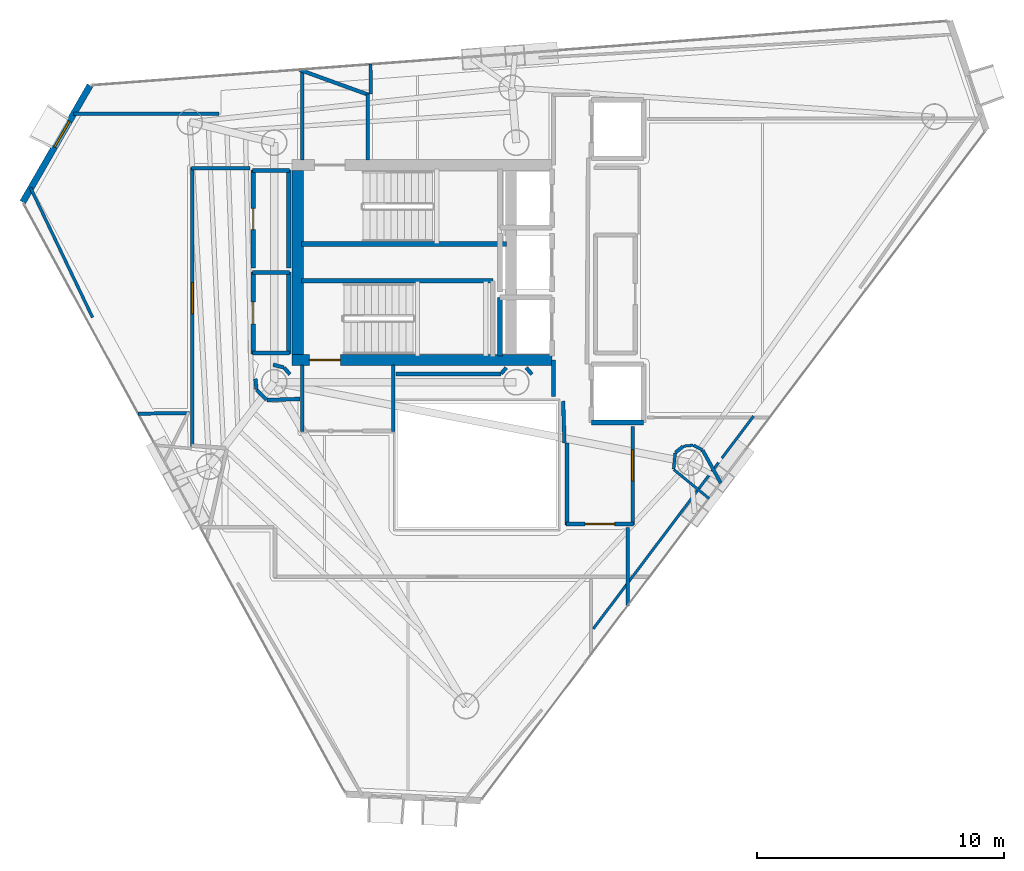
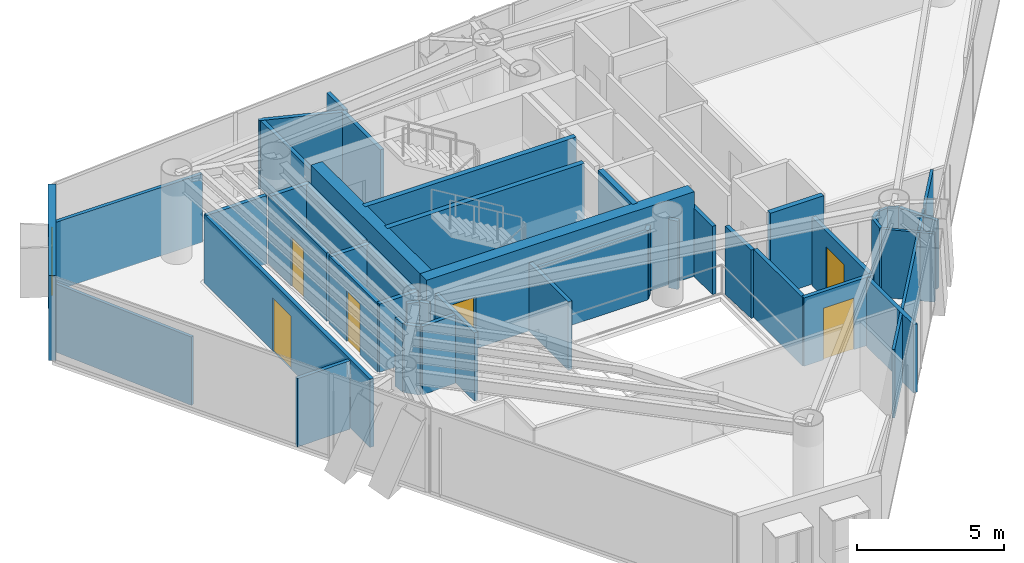
# One storey, part 14 of 19: 47 walls, 6 doors, 1 window, 7 openings.
"""IFC4 building model written with IfcOpenShell, lengths in metres."""

from ifc_helpers import new_model, si_unit, direction, frame, frame_2d, origin, place, context, subcontext, project, spatial, rectangle, extrude, material, layer, layer_set, type_object, element, fill, save


model = new_model("IFC4")

# Units and contexts
model_context = context("Model", 3, precision=1e-05, world=origin(), true_north=direction((0.0, 1.0)))
body_context = subcontext(model_context, "Body", "Model", "MODEL_VIEW")
ifc_project = project(units=[si_unit("LENGTHUNIT", "METRE"), si_unit("AREAUNIT", "SQUARE_METRE"), si_unit("VOLUMEUNIT", "CUBIC_METRE"), si_unit("PLANEANGLEUNIT", "RADIAN"), si_unit("MASSUNIT", "GRAM", prefix="KILO")], contexts=[model_context])

# Site, building, storey
site_placement = place(None, origin())
site = spatial("IfcSite", under=ifc_project, at=site_placement, CompositionType="ELEMENT")
building_placement = place(site_placement, origin())
building = spatial("IfcBuilding", under=site, at=building_placement, Name="Qianvela Tower", CompositionType="ELEMENT")
storey_placement = place(building_placement, frame((0.0, 0.0, 268.60009765625)))
storey = spatial("IfcBuildingStorey", under=building, at=storey_placement, Name="L69", CompositionType="ELEMENT", Elevation=268.60009765625)

# Wall, opening, window
ifc_material_1 = material(Name="Terracotta Cladding on Concrete C40", Category="masonry")
ifc_layer_1 = layer(ifc_material_1, 0.260009765625)
ifc_layer_set_1 = layer_set([ifc_layer_1], Name="Terracotta Cladding on Concrete C40")
wall_type_1 = type_object("IfcWallType", Name="TERRACOTTA-WALL-260", PredefinedType="SOLIDWALL", material=ifc_layer_set_1)
wall_1_placement = place(storey_placement, frame((21.144287109375, 35.86669921875, 0.0), z_axis=(0.0, 0.0, 1.0), x_axis=(-0.499603524597, -0.86625418799, 0.0)))
wall_1 = element("IfcWall", 1, at=wall_1_placement, inside=storey, type_object=wall_type_1, Name="L69 Terracotta Chamfer Facet Wall 3", PredefinedType="SOLIDWALL", context=body_context, shape_type="SweptSolid", body=[
    extrude(rectangle(XDim=5.4501953125, YDim=0.260009765625, at=frame_2d((2.72509765625, 0.0))), origin(), (0.0, 0.0, 1.0), 3.52001953125),
])
opening_1_placement = place(wall_1_placement, frame((1.675048828125, 0.0, 0.89990234375)))
opening_1 = element("IfcOpeningElement", 2, at=opening_1_placement, cuts=wall_1, Name="Opening W-03", PredefinedType="OPENING", context=body_context, shape_type="SweptSolid", body=[
    extrude(rectangle(XDim=1.199951171875, YDim=2.0, at=frame_2d((0.60009765625, 1.0))), frame((0.0, 0.139892578125, 0.0), z_axis=(0.0, -1.0, 0.0), x_axis=(1.0, 0.0, 0.0)), (0.0, 0.0, 1.0), 0.280029296875),
])
ifc_material_2 = material(Name="Thermally Broken Aluminium and Low-E Glass", Category="aluminium")
window_type = type_object("IfcWindowType", Name="WIN-TC-1200x2000", PartitioningType="SINGLE_PANEL", PredefinedType="WINDOW", material=ifc_material_2)
window_placement = place(opening_1_placement, origin())
window = element("IfcWindow", 3, at=window_placement, inside=storey, type_object=window_type, Name="L69 Chamfer Facet Window 3.1", OverallHeight=2.0, OverallWidth=1.199951171875, PartitioningType="SINGLE_PANEL", PredefinedType="WINDOW", context=body_context, shape_type="SweptSolid", body=[
    extrude(rectangle(XDim=1.199951171875, YDim=2.0, at=frame_2d((0.60009765625, 1.0))), frame((0.0, 0.030029296875, 0.0), z_axis=(0.0, -1.0, 0.0), x_axis=(1.0, 0.0, 0.0)), (0.0, 0.0, 1.0), 0.06005859375),
])
fill(opening_1, window)

# Wall, opening, door
ifc_material_3 = material(Name="Concrete C50", Category="concrete")
ifc_layer_2 = layer(ifc_material_3, 0.449951171875)
ifc_layer_set_2 = layer_set([ifc_layer_2], Name="Concrete C50")
wall_type_2 = type_object("IfcWallType", Name="WT-CORE-450", PredefinedType="SHEAR", material=ifc_layer_set_2)
wall_2_placement = place(storey_placement, frame((29.330078125, 24.7548828125, 0.0), z_axis=(0.0, 0.0, 1.0), x_axis=(1.0, 0.0, 0.0)))
wall_2 = element("IfcWall", 4, at=wall_2_placement, inside=storey, type_object=wall_type_2, Name="L69 South Core Shear Wall", PredefinedType="SHEAR", context=body_context, shape_type="SweptSolid", body=[
    extrude(rectangle(XDim=10.52001953125, YDim=0.449951171875, at=frame_2d((5.260009765625, 0.0))), origin(), (0.0, 0.0, 1.0), 3.52001953125),
])
opening_2_placement = place(wall_2_placement, frame((0.695068359375, 0.0, 0.0)))
opening_2 = element("IfcOpeningElement", 5, at=opening_2_placement, cuts=wall_2, Name="Opening D-ST1", PredefinedType="OPENING", context=body_context, shape_type="SweptSolid", body=[
    extrude(rectangle(XDim=1.25, YDim=2.14990234375, at=frame_2d((0.625, 1.074951171875))), frame((0.0, 0.23486328125, 0.0), z_axis=(0.0, -1.0, 0.0), x_axis=(1.0, 0.0, 0.0)), (0.0, 0.0, 1.0), 0.469970703125),
])
ifc_material_4 = material(Name="Galvanised Fire Steel Q355B", Category="steel")
door_type_1 = type_object("IfcDoorType", Name="DT-STAIR-FD90", OperationType="NOTDEFINED", PredefinedType="DOOR", material=ifc_material_4)
door_1_placement = place(opening_2_placement, origin())
door_1 = element("IfcDoor", 6, at=door_1_placement, inside=storey, type_object=door_type_1, Name="L69 Stair ST-2 Exit Door", OperationType="SINGLE_SWING_LEFT", OverallHeight=2.14990234375, OverallWidth=1.25, PredefinedType="DOOR", context=body_context, shape_type="SweptSolid", body=[
    extrude(rectangle(XDim=1.25, YDim=2.14990234375, at=frame_2d((0.625, 1.074951171875))), frame((0.0, 0.02490234375, 0.0), z_axis=(0.0, -1.0, 0.0), x_axis=(1.0, 0.0, 0.0)), (0.0, 0.0, 1.0), 0.050048828125),
])
fill(opening_2, door_1)

# Walls
wall_3_placement = place(storey_placement, frame((29.554931640625, 24.97998046875, 0.0), z_axis=(0.0, 0.0, 1.0), x_axis=(0.0, 1.0, 0.0)))
element("IfcWall", 7, at=wall_3_placement, inside=storey, type_object=wall_type_2, Name="L69 West Core Shear Wall", PredefinedType="SHEAR", context=body_context, shape_type="SweptSolid", body=[
    extrude(rectangle(XDim=7.43994140625, YDim=0.449951171875, at=frame_2d((3.719970703125, 0.0))), origin(), (0.0, 0.0, 1.0), 3.52001953125),
])
ifc_material_5 = material(Name="Fire-Rated Acoustic Gypsum Board")
ifc_layer_3 = layer(ifc_material_5, 0.14990234375)
ifc_layer_set_3 = layer_set([ifc_layer_3], Name="Fire-Rated Acoustic Gypsum Board")
wall_type_3 = type_object("IfcWallType", Name="WT-CORR-150", PredefinedType="PARTITIONING", material=ifc_layer_set_3)
wall_4_placement = place(storey_placement, frame((29.73095703125, 32.85791015625, 0.0), z_axis=(0.0, 0.0, 1.0), x_axis=(0.0, 1.0, 0.0)))
element("IfcWall", 8, at=wall_4_placement, inside=storey, type_object=wall_type_3, Name="L69 Partition 2", PredefinedType="PARTITIONING", context=body_context, shape_type="SweptSolid", body=[
    extrude(rectangle(XDim=3.672607421875, YDim=0.14990234375, at=frame_2d((1.83642578125, 0.0))), origin(), (0.0, 0.0, 1.0), 2.83984375),
])
wall_5_placement = place(storey_placement, frame((29.6240234375, 36.50244140625, 0.0), z_axis=(0.0, 0.0, 1.0), x_axis=(0.940145270822, -0.340773927627, 0.0)))
element("IfcWall", 9, at=wall_5_placement, inside=storey, type_object=wall_type_3, Name="L69 Partition 3", PredefinedType="PARTITIONING", context=body_context, shape_type="SweptSolid", body=[
    extrude(rectangle(XDim=2.973876953125, YDim=0.14990234375, at=frame_2d((1.48681640625, 0.0))), origin(), (0.0, 0.0, 1.0), 2.83984375),
])
wall_6_placement = place(storey_placement, frame((32.388916015625, 35.52001953125, 0.0), z_axis=(0.0, 0.0, 1.0), x_axis=(0.0, -1.0, 0.0)))
element("IfcWall", 10, at=wall_6_placement, inside=storey, type_object=wall_type_3, Name="L69 Partition 4", PredefinedType="PARTITIONING", context=body_context, shape_type="SweptSolid", body=[
    extrude(rectangle(XDim=2.662109375, YDim=0.14990234375, at=frame_2d((1.3310546875, 0.0))), origin(), (0.0, 0.0, 1.0), 2.83984375),
])
for number, where, z_axis, x_axis, name in (
    (11, (29.73095703125, 21.85009765625, 0.0), (0.0, 0.0, 1.0), (0.0, 1.0, 0.0), "L69 Partition 6"),
    (12, (33.4189453125, 24.5419921875, 0.0), (0.0, 0.0, 1.0), (0.0, -1.0, 0.0), "L69 Partition 8"),
):
    element("IfcWall", number, at=place(storey_placement, frame(where, z_axis=z_axis, x_axis=x_axis)), inside=storey, type_object=wall_type_3, Name=name, PredefinedType="PARTITIONING", context=body_context, shape_type="SweptSolid", body=[
        extrude(rectangle(XDim=2.69189453125, YDim=0.14990234375, at=frame_2d((1.345947265625, 0.0))), origin(), (0.0, 0.0, 1.0), 2.83984375),
    ])
wall_7_placement = place(storey_placement, frame((40.35107421875, 21.40087890625, 0.0), z_axis=(0.0, 0.0, 1.0), x_axis=(-0.031058045979, 0.999517582527, 0.0)))
element("IfcWall", 13, at=wall_7_placement, inside=storey, type_object=wall_type_3, Name="L69 Partition 9", PredefinedType="PARTITIONING", context=body_context, shape_type="SweptSolid", body=[
    extrude(rectangle(XDim=1.68212890625, YDim=0.14990234375, at=frame_2d((0.841064453125, 0.0))), origin(), (0.0, 0.0, 1.0), 2.83984375),
])
wall_8_placement = place(storey_placement, frame((39.910888671875, 23.280029296875, 0.0), z_axis=(0.0, 0.0, 1.0), x_axis=(0.0, 1.0, 0.0)))
element("IfcWall", 14, at=wall_8_placement, inside=storey, type_object=wall_type_3, Name="L69 Partition 10", PredefinedType="PARTITIONING", context=body_context, shape_type="SweptSolid", body=[
    extrude(rectangle(XDim=1.47998046875, YDim=0.14990234375, at=frame_2d((0.739990234375, 0.0))), origin(), (0.0, 0.0, 1.0), 2.83984375),
])

# Wall, opening, door
wall_9_placement = place(storey_placement, frame((43.118896484375, 22.050048828125, 0.0), z_axis=(0.0, 0.0, 1.0), x_axis=(0.0, -1.0, 0.0)))
wall_9 = element("IfcWall", 15, at=wall_9_placement, inside=storey, type_object=wall_type_3, Name="L69 Partition 16", PredefinedType="PARTITIONING", context=body_context, shape_type="SweptSolid", body=[
    extrude(rectangle(XDim=3.969970703125, YDim=0.14990234375, at=frame_2d((1.98486328125, 0.0))), origin(), (0.0, 0.0, 1.0), 2.83984375),
])
opening_3_placement = place(wall_9_placement, frame((0.93994140625, 0.0, 0.0)))
opening_3 = element("IfcOpeningElement", 16, at=opening_3_placement, cuts=wall_9, Name="Opening D-LG1", PredefinedType="OPENING", context=body_context, shape_type="SweptSolid", body=[
    extrude(rectangle(XDim=1.25, YDim=2.199951171875, at=frame_2d((0.625, 1.10009765625))), frame((0.0, 0.0849609375, 0.0), z_axis=(0.0, -1.0, 0.0), x_axis=(1.0, 0.0, 0.0)), (0.0, 0.0, 1.0), 0.169921875),
])
ifc_material_6 = material(Name="Anodised Aluminium Acoustic Glass Door", Category="aluminium")
door_type_2 = type_object("IfcDoorType", Name="DT-LOUNGE-1250", OperationType="NOTDEFINED", PredefinedType="DOOR", material=ifc_material_6)
door_2_placement = place(opening_3_placement, origin())
door_2 = element("IfcDoor", 17, at=door_2_placement, inside=storey, type_object=door_type_2, Name="L69 Door Maker Craft Workshop L69-02 to L69 Lift Lobby", OperationType="SINGLE_SWING_LEFT", OverallHeight=2.199951171875, OverallWidth=1.25, PredefinedType="DOOR", context=body_context, shape_type="SweptSolid", body=[
    extrude(rectangle(XDim=1.25, YDim=2.199951171875, at=frame_2d((0.625, 1.10009765625))), frame((0.0, 0.02490234375, 0.0), z_axis=(0.0, -1.0, 0.0), x_axis=(1.0, 0.0, 0.0)), (0.0, 0.0, 1.0), 0.050048828125),
])
fill(opening_3, door_2)

wall_10_placement = place(storey_placement, frame((43.14990234375, 18.111083984375, 0.0), z_axis=(0.0, 0.0, 1.0), x_axis=(-1.0, 0.0, 0.0)))
wall_10 = element("IfcWall", 18, at=wall_10_placement, inside=storey, type_object=wall_type_3, Name="L69 Partition 17", PredefinedType="PARTITIONING", context=body_context, shape_type="SweptSolid", body=[
    extrude(rectangle(XDim=2.72998046875, YDim=0.14990234375, at=frame_2d((1.364990234375, 0.0))), origin(), (0.0, 0.0, 1.0), 2.83984375),
])
opening_4_placement = place(wall_10_placement, frame((0.764892578125, 0.0, 0.0)))
opening_4 = element("IfcOpeningElement", 19, at=opening_4_placement, cuts=wall_10, Name="Opening D-LB1", PredefinedType="OPENING", context=body_context, shape_type="SweptSolid", body=[
    extrude(rectangle(XDim=1.199951171875, YDim=2.14990234375, at=frame_2d((0.60009765625, 1.074951171875))), frame((0.0, 0.0849609375, 0.0), z_axis=(0.0, -1.0, 0.0), x_axis=(1.0, 0.0, 0.0)), (0.0, 0.0, 1.0), 0.169921875),
])
ifc_material_7 = material(Name="Glazed Fire-Rated Steel Frame", Category="steel")
door_type_3 = type_object("IfcDoorType", Name="DT-LOBBY-FD90", OperationType="NOTDEFINED", PredefinedType="DOOR", material=ifc_material_7)
door_3_placement = place(opening_4_placement, origin())
door_3 = element("IfcDoor", 20, at=door_3_placement, inside=storey, type_object=door_type_3, Name="L69 Door L69 Lift Lobby to L69 Floor Corridor", OperationType="SINGLE_SWING_RIGHT", OverallHeight=2.14990234375, OverallWidth=1.199951171875, PredefinedType="DOOR", context=body_context, shape_type="SweptSolid", body=[
    extrude(rectangle(XDim=1.199951171875, YDim=2.14990234375, at=frame_2d((0.60009765625, 1.074951171875))), frame((0.0, 0.02490234375, 0.0), z_axis=(0.0, -1.0, 0.0), x_axis=(1.0, 0.0, 0.0)), (0.0, 0.0, 1.0), 0.050048828125),
])
fill(opening_4, door_3)

# Walls
wall_11_placement = place(storey_placement, frame((40.450927734375, 18.080078125, 0.0), z_axis=(0.0, 0.0, 1.0), x_axis=(0.0, 1.0, 0.0)))
element("IfcWall", 21, at=wall_11_placement, inside=storey, type_object=wall_type_3, Name="L69 Partition 18 seg 1", PredefinedType="PARTITIONING", context=body_context, shape_type="SweptSolid", body=[
    extrude(rectangle(XDim=3.31982421875, YDim=0.14990234375, at=frame_2d((1.659912109375, 0.0))), origin(), (0.0, 0.0, 1.0), 2.83984375),
])
wall_12_placement = place(storey_placement, frame((29.236083984375, 24.170166015625, 0.0), z_axis=(0.0, 0.0, 1.0), x_axis=(-0.652260263346, 0.757995084984, 0.0)))
element("IfcWall", 22, at=wall_12_placement, inside=storey, type_object=wall_type_3, Name="L69 Partition 35", PredefinedType="PARTITIONING", context=body_context, shape_type="SweptSolid", body=[
    extrude(rectangle(XDim=0.35546875, YDim=0.14990234375, at=frame_2d((0.177734375, 0.0))), origin(), (0.0, 0.0, 1.0), 2.83984375),
])
wall_13_placement = place(storey_placement, frame((28.98828125, 24.44970703125, 0.0), z_axis=(0.0, 0.0, 1.0), x_axis=(-0.968704505916, 0.248216800836, 0.0)))
element("IfcWall", 23, at=wall_13_placement, inside=storey, type_object=wall_type_3, Name="L69 Partition 36", PredefinedType="PARTITIONING", context=body_context, shape_type="SweptSolid", body=[
    extrude(rectangle(XDim=0.444580078125, YDim=0.14990234375, at=frame_2d((0.22216796875, 0.0))), origin(), (0.0, 0.0, 1.0), 2.83984375),
])
wall_14_placement = place(storey_placement, frame((39.0361328125, 24.170166015625, 0.0), z_axis=(0.0, 0.0, 1.0), x_axis=(-0.652260263346, 0.757995084984, 0.0)))
element("IfcWall", 24, at=wall_14_placement, inside=storey, type_object=wall_type_3, Name="L69 Partition 45", PredefinedType="PARTITIONING", context=body_context, shape_type="SweptSolid", body=[
    extrude(rectangle(XDim=0.35546875, YDim=0.14990234375, at=frame_2d((0.177734375, 0.0))), origin(), (0.0, 0.0, 1.0), 2.83984375),
])
wall_15_placement = place(storey_placement, frame((37.995849609375, 24.439697265625, 0.0), z_axis=(0.0, 0.0, 1.0), x_axis=(-0.652425645794, -0.757852740782, 0.0)))
element("IfcWall", 25, at=wall_15_placement, inside=storey, type_object=wall_type_3, Name="L69 Partition 48", PredefinedType="PARTITIONING", context=body_context, shape_type="SweptSolid", body=[
    extrude(rectangle(XDim=0.319580078125, YDim=0.14990234375, at=frame_2d((0.15966796875, 0.0))), origin(), (0.0, 0.0, 1.0), 2.83984375),
])
wall_16_placement = place(storey_placement, frame((37.787353515625, 24.180908203125, 0.0), z_axis=(0.0, 0.0, 1.0), x_axis=(-1.0, 0.0, 0.0)))
element("IfcWall", 26, at=wall_16_placement, inside=storey, type_object=wall_type_3, Name="L69 Partition 49", PredefinedType="PARTITIONING", context=body_context, shape_type="SweptSolid", body=[
    extrude(rectangle(XDim=4.25732421875, YDim=0.14990234375, at=frame_2d((2.128662109375, 0.0))), origin(), (0.0, 0.0, 1.0), 2.83984375),
])
wall_17_placement = place(storey_placement, frame((27.83837890625, 23.9921875, 0.0), z_axis=(0.0, 0.0, 1.0), x_axis=(0.098273407977, -0.995159453196, 0.0)))
element("IfcWall", 27, at=wall_17_placement, inside=storey, type_object=wall_type_3, Name="L69 Partition 50", PredefinedType="PARTITIONING", context=body_context, shape_type="SweptSolid", body=[
    extrude(rectangle(XDim=0.432373046875, YDim=0.14990234375, at=frame_2d((0.21630859375, 0.0))), origin(), (0.0, 0.0, 1.0), 2.83984375),
])
wall_18_placement = place(storey_placement, frame((27.889892578125, 23.54296875, 0.0), z_axis=(0.0, 0.0, 1.0), x_axis=(0.707106781187, -0.707106781187, 0.0)))
element("IfcWall", 28, at=wall_18_placement, inside=storey, type_object=wall_type_3, Name="L69 Partition 51", PredefinedType="PARTITIONING", context=body_context, shape_type="SweptSolid", body=[
    extrude(rectangle(XDim=0.570068359375, YDim=0.14990234375, at=frame_2d((0.28515625, 0.0))), origin(), (0.0, 0.0, 1.0), 2.83984375),
])
wall_19_placement = place(storey_placement, frame((28.31591796875, 23.130615234375, 0.0), z_axis=(0.0, 0.0, 1.0), x_axis=(0.999405342193, 0.034481328227, 0.0)))
element("IfcWall", 29, at=wall_19_placement, inside=storey, type_object=wall_type_3, Name="L69 Partition 52", PredefinedType="PARTITIONING", context=body_context, shape_type="SweptSolid", body=[
    extrude(rectangle(XDim=1.323974609375, YDim=0.14990234375, at=frame_2d((0.662109375, 0.0))), origin(), (0.0, 0.0, 1.0), 2.83984375),
])
wall_20_placement = place(storey_placement, frame((42.9189453125, 17.97998046875, 0.0), z_axis=(0.0, 0.0, 1.0), x_axis=(0.0, -1.0, 0.0)))
element("IfcWall", 30, at=wall_20_placement, inside=storey, type_object=wall_type_3, Name="L69 Partition 56", PredefinedType="PARTITIONING", context=body_context, shape_type="SweptSolid", body=[
    extrude(rectangle(XDim=3.188232421875, YDim=0.14990234375, at=frame_2d((1.59423828125, 0.0))), origin(), (0.0, 0.0, 1.0), 2.83984375),
])

# Wall, opening, door
wall_21_placement = place(storey_placement, frame((25.281005859375, 21.253173828125, 0.0), z_axis=(0.0, 0.0, 1.0), x_axis=(0.0, 1.0, 0.0)))
wall_21 = element("IfcWall", 31, at=wall_21_placement, inside=storey, type_object=wall_type_3, Name="L69 Partition 62", PredefinedType="PARTITIONING", context=body_context, shape_type="SweptSolid", body=[
    extrude(rectangle(XDim=11.296875, YDim=0.14990234375, at=frame_2d((5.6484375, 0.0))), origin(), (0.0, 0.0, 1.0), 2.83984375),
])
opening_5_placement = place(wall_21_placement, frame((5.37646484375, 0.0, 0.0)))
opening_5 = element("IfcOpeningElement", 32, at=opening_5_placement, cuts=wall_21, Name="Opening D-LG1", PredefinedType="OPENING", context=body_context, shape_type="SweptSolid", body=[
    extrude(rectangle(XDim=1.25, YDim=2.199951171875, at=frame_2d((0.625, 1.10009765625))), frame((0.0, 0.0849609375, 0.0), z_axis=(0.0, -1.0, 0.0), x_axis=(1.0, 0.0, 0.0)), (0.0, 0.0, 1.0), 0.169921875),
])
door_4_placement = place(opening_5_placement, origin())
door_4 = element("IfcDoor", 33, at=door_4_placement, inside=storey, type_object=door_type_2, Name="L69 Door Student Reading Library L69-03 to L69 Floor Corridor", OperationType="SINGLE_SWING_RIGHT", OverallHeight=2.199951171875, OverallWidth=1.25, PredefinedType="DOOR", context=body_context, shape_type="SweptSolid", body=[
    extrude(rectangle(XDim=1.25, YDim=2.199951171875, at=frame_2d((0.625, 1.10009765625))), frame((0.0, 0.02490234375, 0.0), z_axis=(0.0, -1.0, 0.0), x_axis=(1.0, 0.0, 0.0)), (0.0, 0.0, 1.0), 0.050048828125),
])
fill(opening_5, door_4)

# Walls
wall_22_placement = place(storey_placement, frame((25.25, 32.51904296875, 0.0), z_axis=(0.0, 0.0, 1.0), x_axis=(1.0, 0.0, 0.0)))
element("IfcWall", 34, at=wall_22_placement, inside=storey, type_object=wall_type_3, Name="L69 Partition 63", PredefinedType="PARTITIONING", context=body_context, shape_type="SweptSolid", body=[
    extrude(rectangle(XDim=2.3701171875, YDim=0.14990234375, at=frame_2d((1.18505859375, 0.0))), origin(), (0.0, 0.0, 1.0), 2.83984375),
])
ifc_material_8 = material(Name="Lightweight Gypsum Room Partition")
ifc_layer_4 = layer(ifc_material_8, 0.10498046875)
ifc_layer_set_4 = layer_set([ifc_layer_4], Name="Lightweight Gypsum Room Partition")
wall_type_4 = type_object("IfcWallType", Name="WT-PART-105", PredefinedType="PARTITIONING", material=ifc_layer_set_4)
wall_23_placement = place(storey_placement, frame((48.00634765625, 22.476806640625, 0.0), z_axis=(0.0, 0.0, 1.0), x_axis=(-0.601888401824, -0.798580209966, 0.0)))
element("IfcWall", 35, at=wall_23_placement, inside=storey, type_object=wall_type_4, Name="L69 Partition 79", PredefinedType="PARTITIONING", context=body_context, shape_type="SweptSolid", body=[
    extrude(rectangle(XDim=2.128662109375, YDim=0.10498046875, at=frame_2d((1.064453125, 0.0))), origin(), (0.0, 0.0, 1.0), 2.83984375),
])
wall_24_placement = place(storey_placement, frame((45.566650390625, 21.30078125, 0.0), z_axis=(0.0, 0.0, 1.0), x_axis=(-0.995164018156, -0.098227170207, 0.0)))
element("IfcWall", 36, at=wall_24_placement, inside=storey, type_object=wall_type_4, Name="L69 Partition 82", PredefinedType="PARTITIONING", context=body_context, shape_type="SweptSolid", body=[
    extrude(rectangle(XDim=0.397705078125, YDim=0.10498046875, at=frame_2d((0.19873046875, 0.0))), origin(), (0.0, 0.0, 1.0), 2.83984375),
])
wall_25_placement = place(storey_placement, frame((44.783447265625, 20.31201171875, 0.0), z_axis=(0.0, 0.0, 1.0), x_axis=(0.772976769478, -0.634434325874, 0.0)))
element("IfcWall", 37, at=wall_25_placement, inside=storey, type_object=wall_type_4, Name="L69 Partition 85", PredefinedType="PARTITIONING", context=body_context, shape_type="SweptSolid", body=[
    extrude(rectangle(XDim=1.84326171875, YDim=0.10498046875, at=frame_2d((0.921630859375, 0.0))), origin(), (0.0, 0.0, 1.0), 2.83984375),
])
wall_26_placement = place(storey_placement, frame((46.589111328125, 20.596435546875, 0.0), z_axis=(0.0, 0.0, 1.0), x_axis=(-0.601917455768, -0.798558311234, 0.0)))
element("IfcWall", 38, at=wall_26_placement, inside=storey, type_object=wall_type_4, Name="L69 Partition 88", PredefinedType="PARTITIONING", context=body_context, shape_type="SweptSolid", body=[
    extrude(rectangle(XDim=8.426513671875, YDim=0.10498046875, at=frame_2d((4.21337890625, 0.0))), origin(), (0.0, 0.0, 1.0), 2.83984375),
])
ifc_material_9 = material(Name="Insulated Gypsum Stud Partition")
ifc_layer_5 = layer(ifc_material_9, 0.1201171875)
ifc_layer_set_5 = layer_set([ifc_layer_5], Name="Insulated Gypsum Stud Partition")
wall_type_5 = type_object("IfcWallType", Name="WT-PART-120", PredefinedType="PARTITIONING", material=ifc_layer_set_5)
wall_27_placement = place(storey_placement, frame((45.93505859375, 21.109619140625, 0.0), z_axis=(0.0, 0.0, 1.0), x_axis=(-0.881944865518, 0.471352579484, 0.0)))
element("IfcWall", 39, at=wall_27_placement, inside=storey, type_object=wall_type_5, Name="L69 Partition 81", PredefinedType="PARTITIONING", context=body_context, shape_type="SweptSolid", body=[
    extrude(rectangle(XDim=0.397705078125, YDim=0.1201171875, at=frame_2d((0.19873046875, 0.0))), origin(), (0.0, 0.0, 1.0), 2.83984375),
])
wall_28_placement = place(storey_placement, frame((44.835693359375, 20.981689453125, 0.0), z_axis=(0.0, 0.0, 1.0), x_axis=(-0.098268734456, -0.995159914701, 0.0)))
element("IfcWall", 40, at=wall_28_placement, inside=storey, type_object=wall_type_5, Name="L69 Partition 84", PredefinedType="PARTITIONING", context=body_context, shape_type="SweptSolid", body=[
    extrude(rectangle(XDim=0.64599609375, YDim=0.1201171875, at=frame_2d((0.322998046875, 0.0))), origin(), (0.0, 0.0, 1.0), 2.83984375),
])
wall_29_placement = place(storey_placement, frame((21.24658203125, 26.47265625, 0.0), z_axis=(0.0, 0.0, 1.0), x_axis=(-0.431725647344, 0.902004969734, 0.0)))
element("IfcWall", 41, at=wall_29_placement, inside=storey, type_object=wall_type_5, Name="L69 Partition 105 seg 1", PredefinedType="PARTITIONING", context=body_context, shape_type="SweptSolid", body=[
    extrude(rectangle(XDim=5.819580078125, YDim=0.1201171875, at=frame_2d((2.90966796875, 0.0))), origin(), (0.0, 0.0, 1.0), 2.83984375),
])

# Wall, opening, door
ifc_material_10 = material(Name="Sanitary Service Chase Partition")
ifc_layer_6 = layer(ifc_material_10, 0.1650390625)
ifc_layer_set_6 = layer_set([ifc_layer_6], Name="Sanitary Service Chase Partition")
wall_type_6 = type_object("IfcWallType", Name="WT-PLUMB-165", PredefinedType="PLUMBINGWALL", material=ifc_layer_set_6)
wall_30_placement = place(storey_placement, frame((27.7509765625, 25.0, 0.0), z_axis=(0.0, 0.0, 1.0), x_axis=(0.0, 1.0, 0.0)))
wall_30 = element("IfcWall", 42, at=wall_30_placement, inside=storey, type_object=wall_type_6, Name="L69 Partition 23", PredefinedType="PLUMBINGWALL", context=body_context, shape_type="SweptSolid", body=[
    extrude(rectangle(XDim=3.320068359375, YDim=0.1650390625, at=frame_2d((1.66015625, 0.0))), origin(), (0.0, 0.0, 1.0), 2.83984375),
])
opening_6_placement = place(wall_30_placement, frame((1.2099609375, 0.0, 0.0)))
opening_6 = element("IfcOpeningElement", 43, at=opening_6_placement, cuts=wall_30, Name="Opening D-KT1", PredefinedType="OPENING", context=body_context, shape_type="SweptSolid", body=[
    extrude(rectangle(XDim=0.89990234375, YDim=2.10009765625, at=frame_2d((0.449951171875, 1.050048828125))), frame((0.0, 0.092529296875, 0.0), z_axis=(0.0, -1.0, 0.0), x_axis=(1.0, 0.0, 0.0)), (0.0, 0.0, 1.0), 0.18505859375),
])
ifc_material_11 = material(Name="Glazed Timber Kitchen Door", Category="wood")
door_type_4 = type_object("IfcDoorType", Name="DT-KITCH-900", OperationType="NOTDEFINED", PredefinedType="DOOR", material=ifc_material_11)
door_5_placement = place(opening_6_placement, origin())
door_5 = element("IfcDoor", 44, at=door_5_placement, inside=storey, type_object=door_type_4, Name="L69 Door L69 Core Tea Pantry West to L69 Floor Corridor", OperationType="SINGLE_SWING_LEFT", OverallHeight=2.10009765625, OverallWidth=0.89990234375, PredefinedType="DOOR", context=body_context, shape_type="SweptSolid", body=[
    extrude(rectangle(XDim=0.89990234375, YDim=2.10009765625, at=frame_2d((0.449951171875, 1.050048828125))), frame((0.0, 0.02490234375, 0.0), z_axis=(0.0, -1.0, 0.0), x_axis=(1.0, 0.0, 0.0)), (0.0, 0.0, 1.0), 0.050048828125),
])
fill(opening_6, door_5)

# Walls
wall_31_placement = place(storey_placement, frame((27.719970703125, 28.2890625, 0.0), z_axis=(0.0, 0.0, 1.0), x_axis=(1.0, 0.0, 0.0)))
element("IfcWall", 45, at=wall_31_placement, inside=storey, type_object=wall_type_6, Name="L69 Partition 24", PredefinedType="PLUMBINGWALL", context=body_context, shape_type="SweptSolid", body=[
    extrude(rectangle(XDim=1.5, YDim=0.1650390625, at=frame_2d((0.75, 0.0))), origin(), (0.0, 0.0, 1.0), 2.83984375),
])
wall_32_placement = place(storey_placement, frame((29.18896484375, 28.320068359375, 0.0), z_axis=(0.0, 0.0, 1.0), x_axis=(0.0, -1.0, 0.0)))
element("IfcWall", 46, at=wall_32_placement, inside=storey, type_object=wall_type_6, Name="L69 Partition 25", PredefinedType="PLUMBINGWALL", context=body_context, shape_type="SweptSolid", body=[
    extrude(rectangle(XDim=3.320068359375, YDim=0.1650390625, at=frame_2d((1.66015625, 0.0))), origin(), (0.0, 0.0, 1.0), 2.83984375),
])
wall_33_placement = place(storey_placement, frame((29.219970703125, 25.031005859375, 0.0), z_axis=(0.0, 0.0, 1.0), x_axis=(-1.0, 0.0, 0.0)))
element("IfcWall", 47, at=wall_33_placement, inside=storey, type_object=wall_type_6, Name="L69 Partition 26", PredefinedType="PLUMBINGWALL", context=body_context, shape_type="SweptSolid", body=[
    extrude(rectangle(XDim=1.5, YDim=0.1650390625, at=frame_2d((0.75, 0.0))), origin(), (0.0, 0.0, 1.0), 2.83984375),
])

# Wall, opening, door
wall_34_placement = place(storey_placement, frame((27.7509765625, 28.47998046875, 0.0), z_axis=(0.0, 0.0, 1.0), x_axis=(0.0, 1.0, 0.0)))
wall_34 = element("IfcWall", 48, at=wall_34_placement, inside=storey, type_object=wall_type_6, Name="L69 Partition 27", PredefinedType="PLUMBINGWALL", context=body_context, shape_type="SweptSolid", body=[
    extrude(rectangle(XDim=3.969970703125, YDim=0.1650390625, at=frame_2d((1.98486328125, 0.0))), origin(), (0.0, 0.0, 1.0), 2.83984375),
])
opening_7_placement = place(wall_34_placement, frame((1.554931640625, 0.0, 0.0)))
opening_7 = element("IfcOpeningElement", 49, at=opening_7_placement, cuts=wall_34, Name="Opening D-WC1", PredefinedType="OPENING", context=body_context, shape_type="SweptSolid", body=[
    extrude(rectangle(XDim=0.860107421875, YDim=2.050048828125, at=frame_2d((0.43017578125, 1.02490234375))), frame((0.0, 0.092529296875, 0.0), z_axis=(0.0, -1.0, 0.0), x_axis=(1.0, 0.0, 0.0)), (0.0, 0.0, 1.0), 0.18505859375),
])
ifc_material_12 = material(Name="Moisture-Sealed Acoustic Timber Door", Category="wood")
door_type_5 = type_object("IfcDoorType", Name="DT-WC-860", OperationType="NOTDEFINED", PredefinedType="DOOR", material=ifc_material_12)
door_6_placement = place(opening_7_placement, origin())
door_6 = element("IfcDoor", 50, at=door_6_placement, inside=storey, type_object=door_type_5, Name="L69 Door L69 Accessible WC to L69 Floor Corridor", OperationType="SINGLE_SWING_RIGHT", OverallHeight=2.050048828125, OverallWidth=0.860107421875, PredefinedType="DOOR", context=body_context, shape_type="SweptSolid", body=[
    extrude(rectangle(XDim=0.860107421875, YDim=2.050048828125, at=frame_2d((0.43017578125, 1.02490234375))), frame((0.0, 0.02490234375, 0.0), z_axis=(0.0, -1.0, 0.0), x_axis=(1.0, 0.0, 0.0)), (0.0, 0.0, 1.0), 0.050048828125),
])
fill(opening_7, door_6)

# Walls
wall_35_placement = place(storey_placement, frame((27.719970703125, 32.4189453125, 0.0), z_axis=(0.0, 0.0, 1.0), x_axis=(1.0, 0.0, 0.0)))
element("IfcWall", 51, at=wall_35_placement, inside=storey, type_object=wall_type_6, Name="L69 Partition 28", PredefinedType="PLUMBINGWALL", context=body_context, shape_type="SweptSolid", body=[
    extrude(rectangle(XDim=1.5, YDim=0.1650390625, at=frame_2d((0.75, 0.0))), origin(), (0.0, 0.0, 1.0), 2.83984375),
])
wall_36_placement = place(storey_placement, frame((29.18896484375, 32.449951171875, 0.0), z_axis=(0.0, 0.0, 1.0), x_axis=(0.0, -1.0, 0.0)))
element("IfcWall", 52, at=wall_36_placement, inside=storey, type_object=wall_type_6, Name="L69 Partition 29", PredefinedType="PLUMBINGWALL", context=body_context, shape_type="SweptSolid", body=[
    extrude(rectangle(XDim=3.969970703125, YDim=0.1650390625, at=frame_2d((1.98486328125, 0.0))), origin(), (0.0, 0.0, 1.0), 2.83984375),
])
ifc_material_13 = material(Name="Acoustic Double Gypsum Stud Partition")
ifc_layer_7 = layer(ifc_material_13, 0.139892578125)
ifc_layer_set_7 = layer_set([ifc_layer_7], Name="Acoustic Double Gypsum Stud Partition")
wall_type_7 = type_object("IfcWallType", Name="WT-ROOM-140", PredefinedType="PARTITIONING", material=ifc_layer_set_7)
wall_37_placement = place(storey_placement, frame((23.08056640625, 22.5771484375, 0.0), z_axis=(0.0, 0.0, 1.0), x_axis=(0.999898450923, 0.014250889137, 0.0)))
element("IfcWall", 53, at=wall_37_placement, inside=storey, type_object=wall_type_7, Name="L69 Partition 65", PredefinedType="PARTITIONING", context=body_context, shape_type="SweptSolid", body=[
    extrude(rectangle(XDim=2.090087890625, YDim=0.139892578125, at=frame_2d((1.044921875, 0.0))), origin(), (0.0, 0.0, 1.0), 2.83984375),
])
wall_38_placement = place(storey_placement, frame((46.6796875, 19.77099609375, 0.0), z_axis=(0.0, 0.0, 1.0), x_axis=(-0.483260506693, 0.875476603155, 0.0)))
element("IfcWall", 54, at=wall_38_placement, inside=storey, type_object=wall_type_7, Name="L69 Partition 80", PredefinedType="PARTITIONING", context=body_context, shape_type="SweptSolid", body=[
    extrude(rectangle(XDim=1.51513671875, YDim=0.139892578125, at=frame_2d((0.757568359375, 0.0))), origin(), (0.0, 0.0, 1.0), 2.83984375),
])
wall_39_placement = place(storey_placement, frame((45.154296875, 21.2548828125, 0.0), z_axis=(0.0, 0.0, 1.0), x_axis=(-0.773027083708, -0.634373019487, 0.0)))
element("IfcWall", 55, at=wall_39_placement, inside=storey, type_object=wall_type_7, Name="L69 Partition 83", PredefinedType="PARTITIONING", context=body_context, shape_type="SweptSolid", body=[
    extrude(rectangle(XDim=0.39794921875, YDim=0.139892578125, at=frame_2d((0.198974609375, 0.0))), origin(), (0.0, 0.0, 1.0), 2.83984375),
])
wall_40_placement = place(storey_placement, frame((32.508056640625, 35.52001953125, 0.0), z_axis=(0.0, 0.0, 1.0), x_axis=(-0.008018988351, 0.999967847396, 0.0)))
element("IfcWall", 56, at=wall_40_placement, inside=storey, type_object=wall_type_7, Name="L69 Partition 98 seg 1", PredefinedType="PARTITIONING", context=body_context, shape_type="SweptSolid", body=[
    extrude(rectangle(XDim=1.2177734375, YDim=0.139892578125, at=frame_2d((0.60888671875, 0.0))), origin(), (0.0, 0.0, 1.0), 2.83984375),
])
wall_41_placement = place(storey_placement, frame((20.467041015625, 34.72705078125, 0.0), z_axis=(0.0, 0.0, 1.0), x_axis=(1.0, 0.0, 0.0)))
element("IfcWall", 57, at=wall_41_placement, inside=storey, type_object=wall_type_7, Name="L69 Partition 107", PredefinedType="PARTITIONING", context=body_context, shape_type="SweptSolid", body=[
    extrude(rectangle(XDim=5.89501953125, YDim=0.139892578125, at=frame_2d((2.947509765625, 0.0))), origin(), (0.0, 0.0, 1.0), 2.83984375),
])
ifc_material_14 = material(Name="Concrete C50", Category="concrete")
ifc_layer_8 = layer(ifc_material_14, 0.199951171875)
ifc_layer_set_8 = layer_set([ifc_layer_8], Name="Concrete C50")
wall_type_8 = type_object("IfcWallType", Name="WT-SHAFT-200", PredefinedType="SOLIDWALL", material=ifc_layer_set_8)
wall_42_placement = place(storey_placement, frame((29.699951171875, 29.449951171875, 0.0), z_axis=(0.0, 0.0, 1.0), x_axis=(1.0, 0.0, 0.0)))
element("IfcWall", 58, at=wall_42_placement, inside=storey, type_object=wall_type_8, Name="L69 Stair ST-1 South Wall", PredefinedType="SOLIDWALL", context=body_context, shape_type="SweptSolid", body=[
    extrude(rectangle(XDim=8.300048828125, YDim=0.199951171875, at=frame_2d((4.14990234375, 0.0))), origin(), (0.0, 0.0, 1.0), 3.52001953125),
])
wall_43_placement = place(storey_placement, frame((29.699951171875, 27.9599609375, 0.0), z_axis=(0.0, 0.0, 1.0), x_axis=(1.0, 0.0, 0.0)))
element("IfcWall", 59, at=wall_43_placement, inside=storey, type_object=wall_type_8, Name="L69 Stair ST-2 North Wall", PredefinedType="SOLIDWALL", context=body_context, shape_type="SweptSolid", body=[
    extrude(rectangle(XDim=7.75, YDim=0.199951171875, at=frame_2d((3.875, 0.0))), origin(), (0.0, 0.0, 1.0), 3.52001953125),
])
wall_44_placement = place(storey_placement, frame((37.75, 24.919921875, 0.0), z_axis=(0.0, 0.0, 1.0), x_axis=(0.0, 1.0, 0.0)))
element("IfcWall", 60, at=wall_44_placement, inside=storey, type_object=wall_type_8, Name="L69 Lift FL-2 W Shaft Wall", PredefinedType="SOLIDWALL", context=body_context, shape_type="SweptSolid", body=[
    extrude(rectangle(XDim=2.360107421875, YDim=0.199951171875, at=frame_2d((1.18017578125, 0.0))), origin(), (0.0, 0.0, 1.0), 3.52001953125),
])
wall_45_placement = place(storey_placement, frame((41.449951171875, 22.219970703125, 0.0), z_axis=(0.0, 0.0, 1.0), x_axis=(1.0, 0.0, 0.0)))
element("IfcWall", 61, at=wall_45_placement, inside=storey, type_object=wall_type_8, Name="L69 Lift PL-H2 S Shaft Wall", PredefinedType="SOLIDWALL", context=body_context, shape_type="SweptSolid", body=[
    extrude(rectangle(XDim=2.10009765625, YDim=0.199951171875, at=frame_2d((1.050048828125, 0.0))), origin(), (0.0, 0.0, 1.0), 3.52001953125),
])

save(model, "model.ifc")
